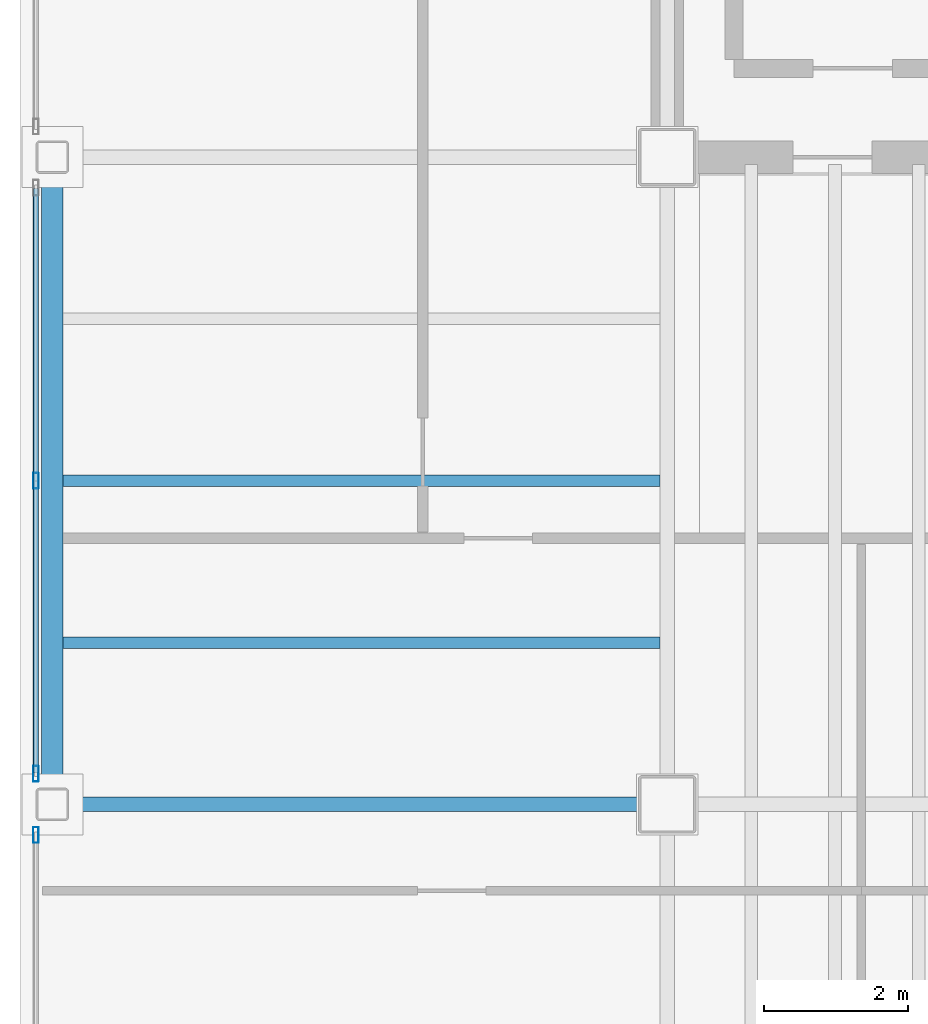
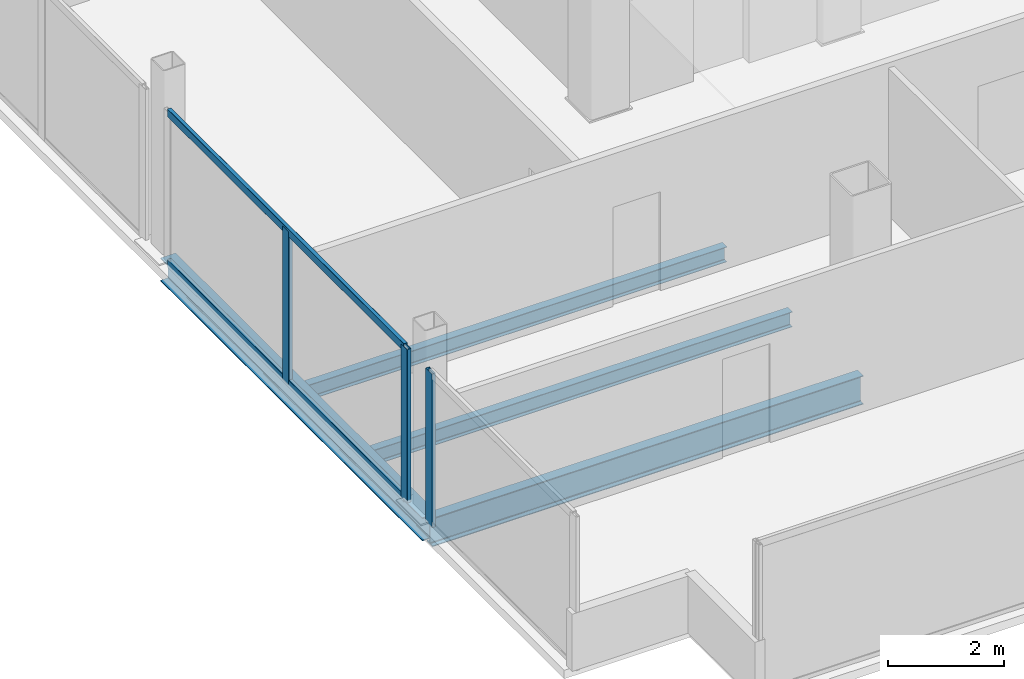
# One storey, part 4 of 17: 5 members, 4 beams, 2 elements without a shape of their own.
"""IFC4 building model written with IfcOpenShell, lengths in metres."""

from ifc_helpers import new_model, si_unit, direction, frame, origin, origin_2d, place, context, subcontext, project, spatial, hollow_rectangle, i_section, extrude, material, material_profile, profile_set, type_object, element, aggregate, save


model = new_model("IFC4")

# Units and contexts
model_context = context("Model", 3, precision=1e-05, world=origin(), true_north=direction((0.0, 1.0)))
body_context = subcontext(model_context, "Body", "Model", "MODEL_VIEW")
ifc_project = project(units=[si_unit("LENGTHUNIT", "METRE"), si_unit("AREAUNIT", "SQUARE_METRE"), si_unit("VOLUMEUNIT", "CUBIC_METRE"), si_unit("PLANEANGLEUNIT", "RADIAN"), si_unit("MASSUNIT", "GRAM", prefix="KILO")], contexts=[model_context])

# Site, building, storey
site_placement = place(None, origin())
site = spatial("IfcSite", under=ifc_project, at=site_placement, CompositionType="ELEMENT")
building_placement = place(site_placement, origin())
building = spatial("IfcBuilding", under=site, at=building_placement, Name="Noeulbin Bourse Tower", CompositionType="ELEMENT")
storey_placement = place(building_placement, frame((0.0, 0.0, 242.300048828125)))
storey = spatial("IfcBuildingStorey", under=building, at=storey_placement, Name="L60", CompositionType="ELEMENT", Elevation=242.300048828125)

# Beams
ifc_material_1 = material(Name="Steel S355", Category="steel")
ifc_material_profile_1 = material_profile(ifc_material_1, i_section(OverallWidth=0.199951171875, OverallDepth=0.60009765625, WebThickness=0.010986328125, FlangeThickness=0.01708984375, FilletRadius=0.02197265625, at=origin_2d()), Name="H-600x200x11x17", Category="LoadBearing")
ifc_profile_set_1 = profile_set([ifc_material_profile_1], Name="Steel S355")
beam_type_1 = type_object("IfcBeamType", Name="BM-GRD-600", PredefinedType="USERDEFINED", material=ifc_profile_set_1)
beam_1_placement = place(storey_placement, frame((4.949951171875, 20.0, -0.47998046875), z_axis=(1.0, 0.0, 0.0), x_axis=(0.0, 1.0, 0.0)))
element("IfcBeam", 1, at=beam_1_placement, inside=storey, type_object=beam_type_1, Name="Tower Primary Girder EW L60-1.1", ObjectType="GIRDER", PredefinedType="USERDEFINED", context=body_context, shape_type="SweptSolid", body=[
    extrude(i_section(OverallWidth=0.199951171875, OverallDepth=0.60009765625, WebThickness=0.010986328125, FlangeThickness=0.01708984375, FilletRadius=0.02197265625, at=origin_2d()), origin(), (0.0, 0.0, 1.0), 8.550048828125),
])
ifc_material_profile_2 = material_profile(ifc_material_1, i_section(OverallWidth=0.159912109375, OverallDepth=0.320068359375, WebThickness=0.006591796875, FlangeThickness=0.010009765625, FilletRadius=0.012939453125, at=origin_2d()), Name="H-320x160x6.5x10", Category="LoadBearing")
ifc_profile_set_2 = profile_set([ifc_material_profile_2], Name="Steel S355")
beam_type_2 = type_object("IfcBeamType", Name="BM-JST-320", PredefinedType="JOIST", material=ifc_profile_set_2)
for number, where, z_axis, x_axis, name in (
    (2, (5.10009765625, 22.25, -0.340087890625), (1.0, 0.0, 0.0), (0.0, 1.0, 0.0), "Wing Composite Joist L60-W37"),
    (3, (5.10009765625, 24.5, -0.340087890625), (1.0, 0.0, 0.0), (0.0, 1.0, 0.0), "Wing Composite Joist L60-W38"),
):
    element("IfcBeam", number, at=place(storey_placement, frame(where, z_axis=z_axis, x_axis=x_axis)), inside=storey, type_object=beam_type_2, Name=name, PredefinedType="JOIST", context=body_context, shape_type="SweptSolid", body=[
        extrude(i_section(OverallWidth=0.159912109375, OverallDepth=0.320068359375, WebThickness=0.006591796875, FlangeThickness=0.010009765625, FilletRadius=0.012939453125, at=origin_2d()), origin(), (0.0, 0.0, 1.0), 8.2998046875),
    ])
ifc_material_profile_3 = material_profile(ifc_material_1, i_section(OverallWidth=0.300048828125, OverallDepth=0.488037109375, WebThickness=0.010986328125, FlangeThickness=0.01806640625, FilletRadius=0.02197265625, at=origin_2d()), Name="H-488x300x11x18", Category="LoadBearing")
ifc_profile_set_3 = profile_set([ifc_material_profile_3], Name="Steel S355")
beam_type_3 = type_object("IfcBeamType", Name="BM-SPN-488", PredefinedType="SPANDREL", material=ifc_profile_set_3)
beam_2_placement = place(storey_placement, frame((4.949951171875, 20.0, -0.424072265625), z_axis=(0.0, 1.0, 0.0), x_axis=(-1.0, 0.0, 0.0)))
element("IfcBeam", 4, at=beam_2_placement, inside=storey, type_object=beam_type_3, Name="West Spandrel L60-1", PredefinedType="SPANDREL", context=body_context, shape_type="SweptSolid", body=[
    extrude(i_section(OverallWidth=0.300048828125, OverallDepth=0.488037109375, WebThickness=0.010986328125, FlangeThickness=0.01806640625, FilletRadius=0.02197265625, at=origin_2d()), origin(), (0.0, 0.0, 1.0), 9.0),
])

# Curtain wall, member
ifc_material_2 = material(Name="High-Selectivity Low-Iron Glazing", Category="glass")
curtain_wall_type = type_object("IfcCurtainWallType", Name="CW-SYS-4", PredefinedType="NOTDEFINED", material=ifc_material_2)
curtain_wall_1_placement = place(storey_placement, origin())
curtain_wall_1 = element("IfcCurtainWall", 5, at=curtain_wall_1_placement, inside=storey, type_object=curtain_wall_type, Name="Unitised Curtain Wall CW-L60-W-S1", PredefinedType="NOTDEFINED")
ifc_material_3 = material(Name="Anodised Aluminium 6063-T6", Category="aluminium")
ifc_material_profile_4 = material_profile(ifc_material_3, hollow_rectangle(XDim=0.074951171875, YDim=0.219970703125, WallThickness=0.0048828125, InnerFilletRadius=0.00244140625, OuterFilletRadius=0.0048828125, at=origin_2d()), Name="ALU-MULL-75x220x5", Category="LoadBearing")
ifc_profile_set_4 = profile_set([ifc_material_profile_4], Name="Anodised Aluminium 6063-T6")
member_type_1 = type_object("IfcMemberType", Name="CW-SYS-4-MUL", PredefinedType="MULLION", material=ifc_profile_set_4)
member_1_placement = place(storey_placement, frame((4.719970703125, 19.574951171875, -0.02001953125), z_axis=(0.0, 0.0, 1.0), x_axis=(1.0, 0.0, 0.0)))
member_1 = element("IfcMember", 6, at=member_1_placement, type_object=member_type_1, Name="Curtain Wall Mullion CW-L60-W-S1-M01", PredefinedType="MULLION", context=body_context, shape_type="SweptSolid", body=[
    extrude(hollow_rectangle(XDim=0.074951171875, YDim=0.219970703125, WallThickness=0.0048828125, InnerFilletRadius=0.00244140625, OuterFilletRadius=0.0048828125, at=origin_2d()), origin(), (0.0, 0.0, 1.0), 3.219970703125),
])
aggregate(curtain_wall_1, [member_1])

# Curtain wall, members
curtain_wall_2_placement = place(storey_placement, origin())
curtain_wall_2 = element("IfcCurtainWall", 7, at=curtain_wall_2_placement, inside=storey, type_object=curtain_wall_type, Name="Unitised Curtain Wall CW-L60-W-S2", PredefinedType="NOTDEFINED")
member_2_placement = place(storey_placement, frame((4.719970703125, 20.425048828125, -0.02001953125), z_axis=(0.0, 0.0, 1.0), x_axis=(1.0, 0.0, 0.0)))
member_2 = element("IfcMember", 8, at=member_2_placement, type_object=member_type_1, Name="Curtain Wall Mullion CW-L60-W-S2-M00", PredefinedType="MULLION", context=body_context, shape_type="SweptSolid", body=[
    extrude(hollow_rectangle(XDim=0.074951171875, YDim=0.219970703125, WallThickness=0.0048828125, InnerFilletRadius=0.00244140625, OuterFilletRadius=0.0048828125, at=origin_2d()), origin(), (0.0, 0.0, 1.0), 3.219970703125),
])
member_3_placement = place(storey_placement, frame((4.719970703125, 24.5, -0.02001953125), z_axis=(0.0, 0.0, 1.0), x_axis=(1.0, 0.0, 0.0)))
member_3 = element("IfcMember", 9, at=member_3_placement, type_object=member_type_1, Name="Curtain Wall Mullion CW-L60-W-S2-M01", PredefinedType="MULLION", context=body_context, shape_type="SweptSolid", body=[
    extrude(hollow_rectangle(XDim=0.074951171875, YDim=0.219970703125, WallThickness=0.0048828125, InnerFilletRadius=0.00244140625, OuterFilletRadius=0.0048828125, at=origin_2d()), origin(), (0.0, 0.0, 1.0), 3.219970703125),
])
ifc_material_profile_5 = material_profile(ifc_material_3, hollow_rectangle(XDim=0.074951171875, YDim=0.159912109375, WallThickness=0.0048828125, InnerFilletRadius=0.00244140625, OuterFilletRadius=0.0048828125, at=origin_2d()), Name="ALU-TRAN-75x160x5", Category="LoadBearing")
ifc_profile_set_5 = profile_set([ifc_material_profile_5], Name="Anodised Aluminium 6063-T6")
member_type_2 = type_object("IfcMemberType", Name="CW-SYS-4-TRN", PredefinedType="USERDEFINED", material=ifc_profile_set_5)
member_4_placement = place(storey_placement, frame((4.719970703125, 20.43505859375, 0.010009765625), z_axis=(0.0, 1.0, 0.0), x_axis=(-1.0, 0.0, 0.0)))
member_4 = element("IfcMember", 10, at=member_4_placement, type_object=member_type_2, Name="Curtain Wall Transom CW-L60-W-S2-T00", ObjectType="TRANSOM", PredefinedType="USERDEFINED", context=body_context, shape_type="SweptSolid", body=[
    extrude(hollow_rectangle(XDim=0.074951171875, YDim=0.159912109375, WallThickness=0.0048828125, InnerFilletRadius=0.00244140625, OuterFilletRadius=0.0048828125, at=origin_2d()), origin(), (0.0, 0.0, 1.0), 8.1298828125),
])
member_5_placement = place(storey_placement, frame((4.719970703125, 20.43505859375, 3.169921875), z_axis=(0.0, 1.0, 0.0), x_axis=(-1.0, 0.0, 0.0)))
member_5 = element("IfcMember", 11, at=member_5_placement, type_object=member_type_2, Name="Curtain Wall Transom CW-L60-W-S2-T01", ObjectType="TRANSOM", PredefinedType="USERDEFINED", context=body_context, shape_type="SweptSolid", body=[
    extrude(hollow_rectangle(XDim=0.074951171875, YDim=0.159912109375, WallThickness=0.0048828125, InnerFilletRadius=0.00244140625, OuterFilletRadius=0.0048828125, at=origin_2d()), origin(), (0.0, 0.0, 1.0), 8.1298828125),
])
aggregate(curtain_wall_2, [member_2, member_3, member_4, member_5])

save(model, "model.ifc")
